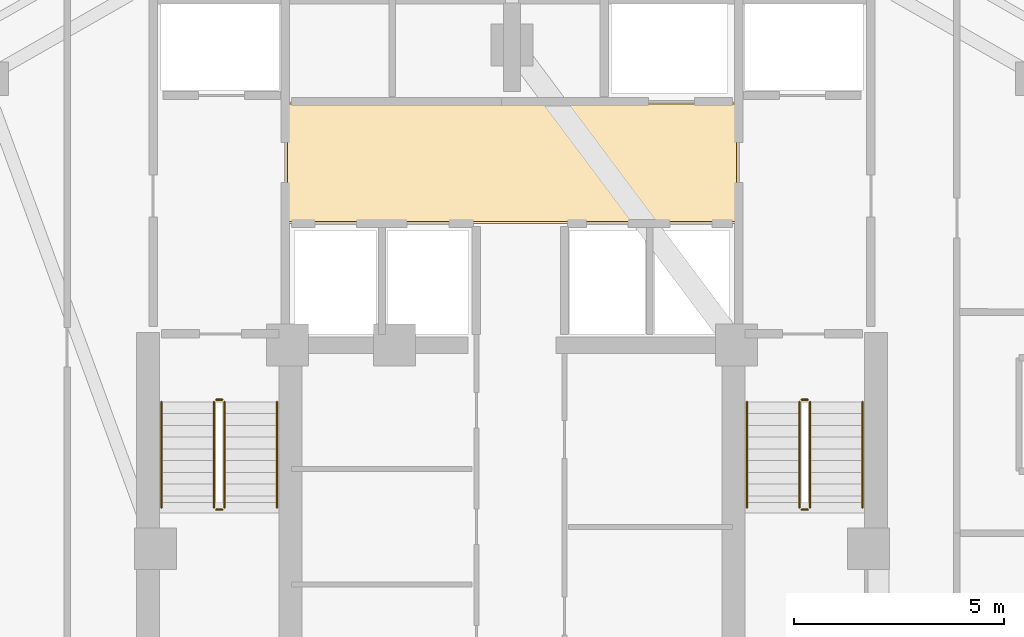
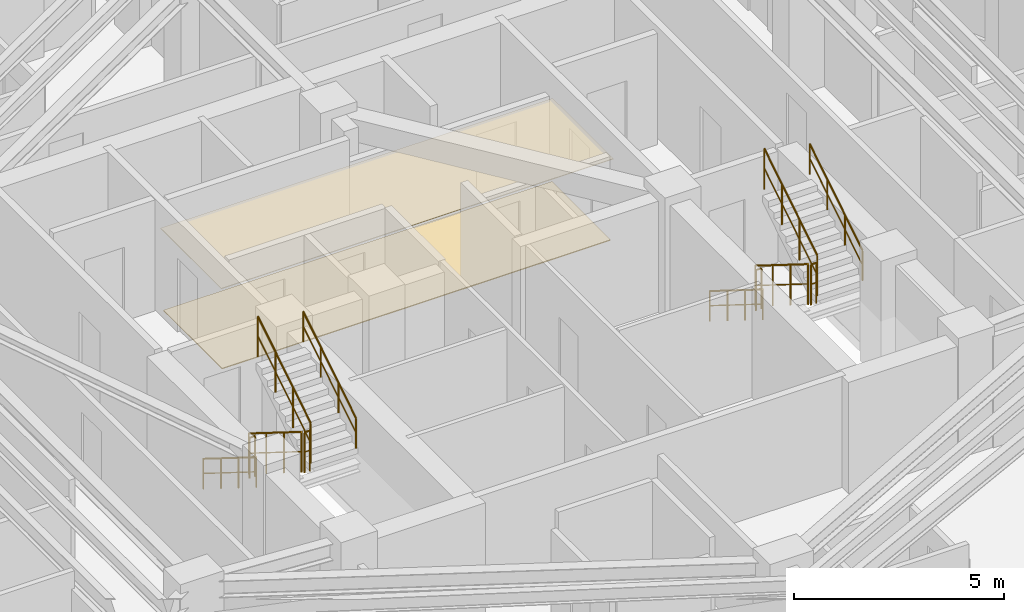
# One storey, part 12 of 12: 12 railings, 2 coverings.
"""IFC4 building model written with IfcOpenShell, lengths in metres."""

from ifc_helpers import new_model, si_unit, direction, frame, origin, origin_2d, place, context, subcontext, project, spatial, polyline, circle, outline, extrude, material, layer, layer_set, type_object, element, save


model = new_model("IFC4")

# Units and contexts
model_context = context("Model", 3, precision=1e-05, world=origin(), true_north=direction((0.0, 1.0)))
body_context = subcontext(model_context, "Body", "Model", "MODEL_VIEW")
ifc_project = project(units=[si_unit("LENGTHUNIT", "METRE"), si_unit("AREAUNIT", "SQUARE_METRE"), si_unit("VOLUMEUNIT", "CUBIC_METRE"), si_unit("PLANEANGLEUNIT", "RADIAN"), si_unit("MASSUNIT", "GRAM", prefix="KILO")], contexts=[model_context])

# Site, building, storey
site_placement = place(None, origin())
site = spatial("IfcSite", under=ifc_project, at=site_placement, CompositionType="ELEMENT")
building_placement = place(site_placement, origin())
building = spatial("IfcBuilding", under=site, at=building_placement, Name="Miruveldt Soraemaru", CompositionType="ELEMENT")
storey_placement = place(building_placement, frame((0.0, 0.0, 103.89990234375)))
storey = spatial("IfcBuildingStorey", under=building, at=storey_placement, Name="L28", CompositionType="ELEMENT", Elevation=103.89990234375)

# Coverings
ifc_material_1 = material(Name="Gypsum plasterboard lining", Category="gypsum")
ifc_layer_1 = layer(ifc_material_1, 0.02001953125, Name="Gypsum plasterboard lining", Category="gypsum")
ifc_layer_set_1 = layer_set([ifc_layer_1], Name="Gypsum plasterboard lining")
covering_type_1 = type_object("IfcCoveringType", Name="COV-CEIL-AC", PredefinedType="CEILING", material=ifc_layer_set_1)
covering_1_placement = place(storey_placement, frame((0.0, 0.0, 2.380126953125)))
element("IfcCovering", 1, at=covering_1_placement, inside=storey, type_object=covering_type_1, Name="L28 Lift Lobby Acoustic Ceiling", PredefinedType="CEILING", context=body_context, shape_type="SweptSolid", body=[
    extrude(outline(polyline([(38.60009765625, 46.949951171875), (49.39990234375, 46.949951171875), (49.39990234375, 49.85009765625), (38.60009765625, 49.85009765625), (38.60009765625, 46.949951171875)])), origin(), (0.0, 0.0, 1.0), 0.02001953125),
])
ifc_material_2 = material(Name="Precast concrete C45/55 (45 MPa)", Category="concrete")
ifc_layer_2 = layer(ifc_material_2, 0.02490234375, Name="Precast concrete C45/55 (45 MPa)", Category="concrete")
ifc_layer_set_2 = layer_set([ifc_layer_2], Name="Precast concrete C45/55 (45 MPa)")
covering_type_2 = type_object("IfcCoveringType", Name="COV-FLOR-ST", PredefinedType="FLOORING", material=ifc_layer_set_2)
covering_2_placement = place(storey_placement, origin())
element("IfcCovering", 2, at=covering_2_placement, inside=storey, type_object=covering_type_2, Name="L28 Lift Lobby Stone Flooring", PredefinedType="FLOORING", context=body_context, shape_type="SweptSolid", body=[
    extrude(outline(polyline([(38.64990234375, 47.0), (49.35009765625, 47.0), (49.35009765625, 49.800048828125), (38.64990234375, 49.800048828125), (38.64990234375, 47.0)])), origin(), (0.0, 0.0, 1.0), 0.025146484375),
])

# Railings
ifc_material_3 = material(Name="Steel S355 (355 MPa)", Category="steel")
railing_type_1 = type_object("IfcRailingType", Name="RAIL-HR-900", PredefinedType="HANDRAIL", material=ifc_material_3)
railing_1_placement = place(storey_placement, frame((35.64990234375, 42.699951171875, 0.175048828125)))
element("IfcRailing", 3, at=railing_1_placement, inside=storey, type_object=railing_type_1, Name="L28 ST-1 stair handrail 1", PredefinedType="HANDRAIL", context=body_context, shape_type="SweptSolid", body=[
    extrude(circle(Radius=0.02392578125, at=origin_2d()), frame((0.0, 0.0, 0.8759765625), z_axis=(0.0, -0.848007534815, 0.529984170421), x_axis=(1.0, 0.0, 0.0)), (0.0, 0.0, 1.0), 2.9716796875),
    extrude(circle(Radius=0.01611328125, at=origin_2d()), frame((0.0, 0.0, 0.449951171875), z_axis=(0.0, -0.848007534815, 0.529984170421), x_axis=(1.0, 0.0, 0.0)), (0.0, 0.0, 1.0), 2.9716796875),
    extrude(circle(Radius=0.02099609375, at=origin_2d()), origin(), (0.0, 0.0, 1.0), 0.851806640625),
    extrude(circle(Radius=0.02099609375, at=origin_2d()), frame((0.0, -0.840087890625, 0.52490234375)), (0.0, 0.0, 1.0), 0.851806640625),
    extrude(circle(Radius=0.02099609375, at=origin_2d()), frame((0.0, -1.679931640625, 1.050048828125)), (0.0, 0.0, 1.0), 0.851806640625),
    extrude(circle(Radius=0.02099609375, at=origin_2d()), frame((0.0, -2.52001953125, 1.574951171875)), (0.0, 0.0, 1.0), 0.851806640625),
])
railing_2_placement = place(storey_placement, frame((38.39990234375, 40.179931640625, 1.925048828125)))
element("IfcRailing", 4, at=railing_2_placement, inside=storey, type_object=railing_type_1, Name="L28 ST-1 stair handrail 2", PredefinedType="HANDRAIL", context=body_context, shape_type="SweptSolid", body=[
    extrude(circle(Radius=0.02392578125, at=origin_2d()), frame((0.0, 0.0, 0.8759765625), z_axis=(0.0, 0.848007534815, 0.529984170421), x_axis=(-1.0, 0.0, 0.0)), (0.0, 0.0, 1.0), 2.9716796875),
    extrude(circle(Radius=0.01611328125, at=origin_2d()), frame((0.0, 0.0, 0.449951171875), z_axis=(0.0, 0.848007534815, 0.529984170421), x_axis=(-1.0, 0.0, 0.0)), (0.0, 0.0, 1.0), 2.9716796875),
    extrude(circle(Radius=0.02099609375, at=origin_2d()), origin(), (0.0, 0.0, 1.0), 0.851806640625),
    extrude(circle(Radius=0.02099609375, at=origin_2d()), frame((0.0, 0.840087890625, 0.52490234375)), (0.0, 0.0, 1.0), 0.851806640625),
    extrude(circle(Radius=0.02099609375, at=origin_2d()), frame((0.0, 1.679931640625, 1.050048828125)), (0.0, 0.0, 1.0), 0.851806640625),
    extrude(circle(Radius=0.02099609375, at=origin_2d()), frame((0.0, 2.52001953125, 1.574951171875)), (0.0, 0.0, 1.0), 0.851806640625),
])
railing_3_placement = place(storey_placement, frame((49.60009765625, 42.699951171875, 0.175048828125)))
element("IfcRailing", 5, at=railing_3_placement, inside=storey, type_object=railing_type_1, Name="L28 ST-2 stair handrail 1", PredefinedType="HANDRAIL", context=body_context, shape_type="SweptSolid", body=[
    extrude(circle(Radius=0.02392578125, at=origin_2d()), frame((0.0, 0.0, 0.8759765625), z_axis=(0.0, -0.848007534815, 0.529984170421), x_axis=(1.0, 0.0, 0.0)), (0.0, 0.0, 1.0), 2.9716796875),
    extrude(circle(Radius=0.01611328125, at=origin_2d()), frame((0.0, 0.0, 0.449951171875), z_axis=(0.0, -0.848007534815, 0.529984170421), x_axis=(1.0, 0.0, 0.0)), (0.0, 0.0, 1.0), 2.9716796875),
    extrude(circle(Radius=0.02099609375, at=origin_2d()), origin(), (0.0, 0.0, 1.0), 0.851806640625),
    extrude(circle(Radius=0.02099609375, at=origin_2d()), frame((0.0, -0.840087890625, 0.52490234375)), (0.0, 0.0, 1.0), 0.851806640625),
    extrude(circle(Radius=0.02099609375, at=origin_2d()), frame((0.0, -1.679931640625, 1.050048828125)), (0.0, 0.0, 1.0), 0.851806640625),
    extrude(circle(Radius=0.02099609375, at=origin_2d()), frame((0.0, -2.52001953125, 1.574951171875)), (0.0, 0.0, 1.0), 0.851806640625),
])
railing_4_placement = place(storey_placement, frame((52.35009765625, 40.179931640625, 1.925048828125)))
element("IfcRailing", 6, at=railing_4_placement, inside=storey, type_object=railing_type_1, Name="L28 ST-2 stair handrail 2", PredefinedType="HANDRAIL", context=body_context, shape_type="SweptSolid", body=[
    extrude(circle(Radius=0.02392578125, at=origin_2d()), frame((0.0, 0.0, 0.8759765625), z_axis=(0.0, 0.848007534815, 0.529984170421), x_axis=(-1.0, 0.0, 0.0)), (0.0, 0.0, 1.0), 2.9716796875),
    extrude(circle(Radius=0.01611328125, at=origin_2d()), frame((0.0, 0.0, 0.449951171875), z_axis=(0.0, 0.848007534815, 0.529984170421), x_axis=(-1.0, 0.0, 0.0)), (0.0, 0.0, 1.0), 2.9716796875),
    extrude(circle(Radius=0.02099609375, at=origin_2d()), origin(), (0.0, 0.0, 1.0), 0.851806640625),
    extrude(circle(Radius=0.02099609375, at=origin_2d()), frame((0.0, 0.840087890625, 0.52490234375)), (0.0, 0.0, 1.0), 0.851806640625),
    extrude(circle(Radius=0.02099609375, at=origin_2d()), frame((0.0, 1.679931640625, 1.050048828125)), (0.0, 0.0, 1.0), 0.851806640625),
    extrude(circle(Radius=0.02099609375, at=origin_2d()), frame((0.0, 2.52001953125, 1.574951171875)), (0.0, 0.0, 1.0), 0.851806640625),
])
railing_type_2 = type_object("IfcRailingType", Name="RAIL-STGUARD-1200", PredefinedType="GUARDRAIL", material=ifc_material_3)
railing_5_placement = place(storey_placement, frame((36.89990234375, 42.699951171875, 0.175048828125)))
element("IfcRailing", 7, at=railing_5_placement, inside=storey, type_object=railing_type_2, Name="L28 ST-1 stair guard 1", PredefinedType="GUARDRAIL", context=body_context, shape_type="SweptSolid", body=[
    extrude(circle(Radius=0.02392578125, at=origin_2d()), frame((0.0, 0.0, 1.17578125), z_axis=(0.0, -0.848007534815, 0.529984170421), x_axis=(1.0, 0.0, 0.0)), (0.0, 0.0, 1.0), 2.9716796875),
    extrude(circle(Radius=0.01611328125, at=origin_2d()), frame((0.0, 0.0, 0.60009765625), z_axis=(0.0, -0.848007534815, 0.529984170421), x_axis=(1.0, 0.0, 0.0)), (0.0, 0.0, 1.0), 2.9716796875),
    extrude(circle(Radius=0.02099609375, at=origin_2d()), origin(), (0.0, 0.0, 1.0), 1.15185546875),
    extrude(circle(Radius=0.02099609375, at=origin_2d()), frame((0.0, -0.840087890625, 0.52490234375)), (0.0, 0.0, 1.0), 1.15185546875),
    extrude(circle(Radius=0.02099609375, at=origin_2d()), frame((0.0, -1.679931640625, 1.050048828125)), (0.0, 0.0, 1.0), 1.15185546875),
    extrude(circle(Radius=0.02099609375, at=origin_2d()), frame((0.0, -2.52001953125, 1.574951171875)), (0.0, 0.0, 1.0), 1.15185546875),
])
railing_6_placement = place(storey_placement, frame((36.949951171875, 40.1298828125, 1.75)))
element("IfcRailing", 8, at=railing_6_placement, inside=storey, type_object=railing_type_2, Name="L28 ST-1 stair guard 2", PredefinedType="GUARDRAIL", context=body_context, shape_type="SweptSolid", body=[
    extrude(circle(Radius=0.02392578125, at=origin_2d()), frame((0.0, 0.0, 1.17578125), z_axis=(1.0, 0.0, 0.0), x_axis=(0.0, 1.0, 0.0)), (0.0, 0.0, 1.0), 0.150146484375),
    extrude(circle(Radius=0.01611328125, at=origin_2d()), frame((0.0, 0.0, 0.60009765625), z_axis=(1.0, 0.0, 0.0), x_axis=(0.0, 1.0, 0.0)), (0.0, 0.0, 1.0), 0.150146484375),
    extrude(circle(Radius=0.02099609375, at=origin_2d()), origin(), (0.0, 0.0, 1.0), 1.15185546875),
    extrude(circle(Radius=0.02099609375, at=origin_2d()), frame((0.150146484375, 0.0, 0.0)), (0.0, 0.0, 1.0), 1.15185546875),
])
railing_7_placement = place(storey_placement, frame((37.14990234375, 40.179931640625, 1.925048828125)))
element("IfcRailing", 9, at=railing_7_placement, inside=storey, type_object=railing_type_2, Name="L28 ST-1 stair guard 3", PredefinedType="GUARDRAIL", context=body_context, shape_type="SweptSolid", body=[
    extrude(circle(Radius=0.02392578125, at=origin_2d()), frame((0.0, 0.0, 1.17578125), z_axis=(0.0, 0.848007534815, 0.529984170421), x_axis=(-1.0, 0.0, 0.0)), (0.0, 0.0, 1.0), 2.9716796875),
    extrude(circle(Radius=0.01611328125, at=origin_2d()), frame((0.0, 0.0, 0.60009765625), z_axis=(0.0, 0.848007534815, 0.529984170421), x_axis=(-1.0, 0.0, 0.0)), (0.0, 0.0, 1.0), 2.9716796875),
    extrude(circle(Radius=0.02099609375, at=origin_2d()), origin(), (0.0, 0.0, 1.0), 1.15185546875),
    extrude(circle(Radius=0.02099609375, at=origin_2d()), frame((0.0, 0.840087890625, 0.52490234375)), (0.0, 0.0, 1.0), 1.15185546875),
    extrude(circle(Radius=0.02099609375, at=origin_2d()), frame((0.0, 1.679931640625, 1.050048828125)), (0.0, 0.0, 1.0), 1.15185546875),
    extrude(circle(Radius=0.02099609375, at=origin_2d()), frame((0.0, 2.52001953125, 1.574951171875)), (0.0, 0.0, 1.0), 1.15185546875),
])
railing_8_placement = place(storey_placement, frame((36.949951171875, 42.75, 0.0)))
element("IfcRailing", 10, at=railing_8_placement, inside=storey, type_object=railing_type_2, Name="L28 ST-1 stair guard 4", PredefinedType="GUARDRAIL", context=body_context, shape_type="SweptSolid", body=[
    extrude(circle(Radius=0.02392578125, at=origin_2d()), frame((0.0, 0.0, 1.17578125), z_axis=(1.0, 0.0, 0.0), x_axis=(0.0, 1.0, 0.0)), (0.0, 0.0, 1.0), 0.150146484375),
    extrude(circle(Radius=0.01611328125, at=origin_2d()), frame((0.0, 0.0, 0.60009765625), z_axis=(1.0, 0.0, 0.0), x_axis=(0.0, 1.0, 0.0)), (0.0, 0.0, 1.0), 0.150146484375),
    extrude(circle(Radius=0.02099609375, at=origin_2d()), origin(), (0.0, 0.0, 1.0), 1.15185546875),
    extrude(circle(Radius=0.02099609375, at=origin_2d()), frame((0.150146484375, 0.0, 0.0)), (0.0, 0.0, 1.0), 1.15185546875),
])
railing_9_placement = place(storey_placement, frame((50.85009765625, 42.699951171875, 0.175048828125)))
element("IfcRailing", 11, at=railing_9_placement, inside=storey, type_object=railing_type_2, Name="L28 ST-2 stair guard 1", PredefinedType="GUARDRAIL", context=body_context, shape_type="SweptSolid", body=[
    extrude(circle(Radius=0.02392578125, at=origin_2d()), frame((0.0, 0.0, 1.17578125), z_axis=(0.0, -0.848007534815, 0.529984170421), x_axis=(1.0, 0.0, 0.0)), (0.0, 0.0, 1.0), 2.9716796875),
    extrude(circle(Radius=0.01611328125, at=origin_2d()), frame((0.0, 0.0, 0.60009765625), z_axis=(0.0, -0.848007534815, 0.529984170421), x_axis=(1.0, 0.0, 0.0)), (0.0, 0.0, 1.0), 2.9716796875),
    extrude(circle(Radius=0.02099609375, at=origin_2d()), origin(), (0.0, 0.0, 1.0), 1.15185546875),
    extrude(circle(Radius=0.02099609375, at=origin_2d()), frame((0.0, -0.840087890625, 0.52490234375)), (0.0, 0.0, 1.0), 1.15185546875),
    extrude(circle(Radius=0.02099609375, at=origin_2d()), frame((0.0, -1.679931640625, 1.050048828125)), (0.0, 0.0, 1.0), 1.15185546875),
    extrude(circle(Radius=0.02099609375, at=origin_2d()), frame((0.0, -2.52001953125, 1.574951171875)), (0.0, 0.0, 1.0), 1.15185546875),
])
railing_10_placement = place(storey_placement, frame((50.89990234375, 40.1298828125, 1.75)))
element("IfcRailing", 12, at=railing_10_placement, inside=storey, type_object=railing_type_2, Name="L28 ST-2 stair guard 2", PredefinedType="GUARDRAIL", context=body_context, shape_type="SweptSolid", body=[
    extrude(circle(Radius=0.02392578125, at=origin_2d()), frame((0.0, 0.0, 1.17578125), z_axis=(1.0, 0.0, 0.0), x_axis=(0.0, 1.0, 0.0)), (0.0, 0.0, 1.0), 0.150146484375),
    extrude(circle(Radius=0.01611328125, at=origin_2d()), frame((0.0, 0.0, 0.60009765625), z_axis=(1.0, 0.0, 0.0), x_axis=(0.0, 1.0, 0.0)), (0.0, 0.0, 1.0), 0.150146484375),
    extrude(circle(Radius=0.02099609375, at=origin_2d()), origin(), (0.0, 0.0, 1.0), 1.15185546875),
    extrude(circle(Radius=0.02099609375, at=origin_2d()), frame((0.150146484375, 0.0, 0.0)), (0.0, 0.0, 1.0), 1.15185546875),
])
railing_11_placement = place(storey_placement, frame((51.10009765625, 40.179931640625, 1.925048828125)))
element("IfcRailing", 13, at=railing_11_placement, inside=storey, type_object=railing_type_2, Name="L28 ST-2 stair guard 3", PredefinedType="GUARDRAIL", context=body_context, shape_type="SweptSolid", body=[
    extrude(circle(Radius=0.02392578125, at=origin_2d()), frame((0.0, 0.0, 1.17578125), z_axis=(0.0, 0.848007534815, 0.529984170421), x_axis=(-1.0, 0.0, 0.0)), (0.0, 0.0, 1.0), 2.9716796875),
    extrude(circle(Radius=0.01611328125, at=origin_2d()), frame((0.0, 0.0, 0.60009765625), z_axis=(0.0, 0.848007534815, 0.529984170421), x_axis=(-1.0, 0.0, 0.0)), (0.0, 0.0, 1.0), 2.9716796875),
    extrude(circle(Radius=0.02099609375, at=origin_2d()), origin(), (0.0, 0.0, 1.0), 1.15185546875),
    extrude(circle(Radius=0.02099609375, at=origin_2d()), frame((0.0, 0.840087890625, 0.52490234375)), (0.0, 0.0, 1.0), 1.15185546875),
    extrude(circle(Radius=0.02099609375, at=origin_2d()), frame((0.0, 1.679931640625, 1.050048828125)), (0.0, 0.0, 1.0), 1.15185546875),
    extrude(circle(Radius=0.02099609375, at=origin_2d()), frame((0.0, 2.52001953125, 1.574951171875)), (0.0, 0.0, 1.0), 1.15185546875),
])
railing_12_placement = place(storey_placement, frame((50.89990234375, 42.75, 0.0)))
element("IfcRailing", 14, at=railing_12_placement, inside=storey, type_object=railing_type_2, Name="L28 ST-2 stair guard 4", PredefinedType="GUARDRAIL", context=body_context, shape_type="SweptSolid", body=[
    extrude(circle(Radius=0.02392578125, at=origin_2d()), frame((0.0, 0.0, 1.17578125), z_axis=(1.0, 0.0, 0.0), x_axis=(0.0, 1.0, 0.0)), (0.0, 0.0, 1.0), 0.150146484375),
    extrude(circle(Radius=0.01611328125, at=origin_2d()), frame((0.0, 0.0, 0.60009765625), z_axis=(1.0, 0.0, 0.0), x_axis=(0.0, 1.0, 0.0)), (0.0, 0.0, 1.0), 0.150146484375),
    extrude(circle(Radius=0.02099609375, at=origin_2d()), origin(), (0.0, 0.0, 1.0), 1.15185546875),
    extrude(circle(Radius=0.02099609375, at=origin_2d()), frame((0.150146484375, 0.0, 0.0)), (0.0, 0.0, 1.0), 1.15185546875),
])

save(model, "model.ifc")
